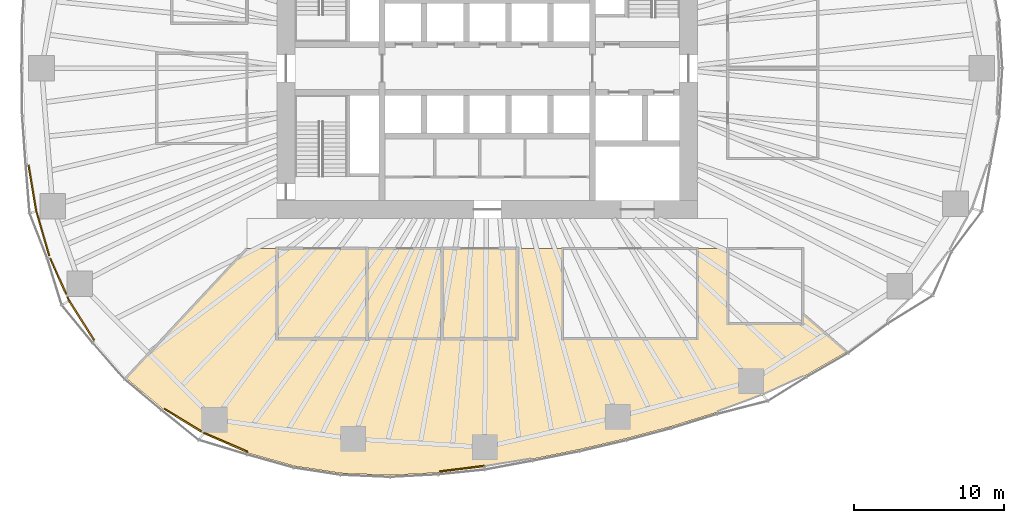
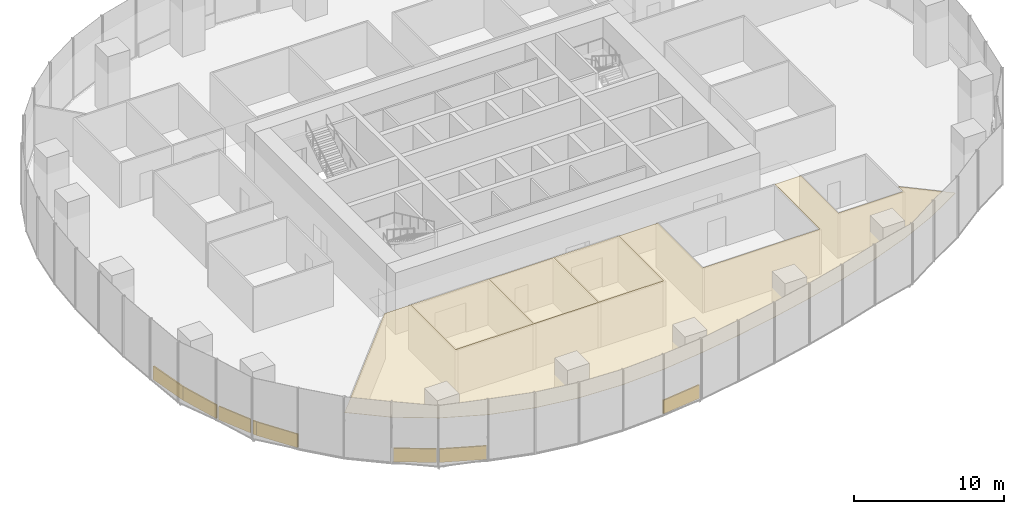
# One storey, part 17 of 19: 12 coverings.
"""IFC4 building model written with IfcOpenShell, lengths in metres."""

from ifc_helpers import new_model, si_unit, direction, frame, origin, origin_2d, place, context, subcontext, project, spatial, polyline, rectangle, outline, extrude, material, layer, layer_set, type_object, element, save


model = new_model("IFC4")

# Units and contexts
model_context = context("Model", 3, precision=1e-05, world=origin(), true_north=direction((0.0, 1.0)))
body_context = subcontext(model_context, "Body", "Model", "MODEL_VIEW")
ifc_project = project(units=[si_unit("LENGTHUNIT", "METRE"), si_unit("AREAUNIT", "SQUARE_METRE"), si_unit("VOLUMEUNIT", "CUBIC_METRE"), si_unit("PLANEANGLEUNIT", "RADIAN"), si_unit("MASSUNIT", "GRAM", prefix="KILO")], contexts=[model_context])

# Site, building, storey
site_placement = place(None, origin())
site = spatial("IfcSite", under=ifc_project, at=site_placement, CompositionType="ELEMENT")
building_placement = place(site_placement, origin())
building = spatial("IfcBuilding", under=site, at=building_placement, Name="Ghaith Harvest Tower", CompositionType="ELEMENT")
storey_placement = place(building_placement, frame((0.0, 0.0, 70.0)))
storey = spatial("IfcBuildingStorey", under=building, at=storey_placement, Name="L14", CompositionType="ELEMENT", Elevation=70.0)

# Coverings
ifc_material_1 = material(Name="Mineral fibre ceiling tile", Category="gypsum")
ifc_layer_1 = layer(ifc_material_1, 0.02490234375)
ifc_layer_set_1 = layer_set([ifc_layer_1], Name="CEILING C2")
covering_type_1 = type_object("IfcCoveringType", Name="CEILING C2", PredefinedType="CEILING", material=ifc_layer_set_1)
covering_1_placement = place(storey_placement, frame((0.0, 0.0, 3.60009765625)))
element("IfcCovering", 1, at=covering_1_placement, inside=storey, type_object=covering_type_1, Name="Ceiling L14-03", PredefinedType="CEILING", context=body_context, shape_type="SweptSolid", body=[
    extrude(outline(polyline([(-14.0, -18.0), (-8.0, -18.0), (-8.0, -12.0), (-14.0, -12.0), (-14.0, -18.0)])), origin(), (0.0, 0.0, 1.0), 0.02490234375),
])
covering_2_placement = place(storey_placement, frame((0.0, 0.0, 3.60009765625)))
element("IfcCovering", 2, at=covering_2_placement, inside=storey, type_object=covering_type_1, Name="Ceiling L14-04", PredefinedType="CEILING", context=body_context, shape_type="SweptSolid", body=[
    extrude(outline(polyline([(-8.0, -18.0), (-3.0, -18.0), (-3.0, -12.0), (-8.0, -12.0), (-8.0, -18.0)])), origin(), (0.0, 0.0, 1.0), 0.02490234375),
])
covering_3_placement = place(storey_placement, frame((0.0, 0.0, 3.60009765625)))
element("IfcCovering", 3, at=covering_3_placement, inside=storey, type_object=covering_type_1, Name="Ceiling L14-05", PredefinedType="CEILING", context=body_context, shape_type="SweptSolid", body=[
    extrude(outline(polyline([(-3.0, -18.0), (2.0, -18.0), (2.0, -12.0), (-3.0, -12.0), (-3.0, -18.0)])), origin(), (0.0, 0.0, 1.0), 0.02490234375),
])
covering_4_placement = place(storey_placement, frame((0.0, 0.0, 3.60009765625)))
element("IfcCovering", 4, at=covering_4_placement, inside=storey, type_object=covering_type_1, Name="Ceiling L14-S1", PredefinedType="CEILING", context=body_context, shape_type="SweptSolid", body=[
    extrude(outline(polyline([(-15.907958984375, -25.614501953125), (-18.8935546875, -24.32763671875), (-21.59912109375, -22.671142578125), (-24.04833984375, -20.618408203125), (-16.0, -12.0), (-14.0, -12.0), (-14.0, -18.0), (2.0, -18.0), (2.0, -12.0), (5.0, -12.0), (5.0, -18.0), (14.0, -18.0), (14.0, -12.0), (16.0, -12.0), (16.0, -17.0), (21.0, -17.0), (21.0, -16.336669921875), (23.92431640625, -18.873046875), (21.149169921875, -20.469482421875), (18.34521484375, -21.7548828125), (15.22119140625, -22.916259765625), (12.1796875, -23.857666015625), (9.21533203125, -24.65087890625), (6.10888671875, -25.378662109375), (2.99560546875, -26.004150390625), (-0.181396484375, -26.527099609375), (-3.24755859375, -26.91064453125), (-6.4375, -27.0849609375), (-9.733642578125, -26.949951171875), (-12.828125, -26.476806640625), (-15.907958984375, -25.614501953125)])), origin(), (0.0, 0.0, 1.0), 0.02490234375),
])
ifc_material_2 = material(Name="Insulated aluminium spandrel panel on steel framing", Category="steel")
ifc_layer_2 = layer(ifc_material_2, 0.10009765625)
ifc_layer_set_2 = layer_set([ifc_layer_2], Name="SLAB EDGE UPSTAND 1100x100")
covering_type_2 = type_object("IfcCoveringType", Name="SLAB EDGE UPSTAND 1100x100", PredefinedType="CLADDING", material=ifc_layer_set_2)
covering_5_placement = place(storey_placement, frame((-30.28271484375, -7.982177734375, 0.0), z_axis=(0.0, 0.0, 1.0), x_axis=(0.165246181786, -0.986252350773, 0.0)))
element("IfcCovering", 5, at=covering_5_placement, inside=storey, type_object=covering_type_2, Name="Slab edge upstand 3 bay 11 L14", PredefinedType="CLADDING", context=body_context, shape_type="SweptSolid", body=[
    extrude(rectangle(XDim=3.124267578125, YDim=0.10009765625, at=origin_2d()), origin(), (0.0, 0.0, 1.0), 1.10009765625),
])
covering_6_placement = place(storey_placement, frame((-29.593994140625, -10.997314453125, 0.0), z_axis=(0.0, 0.0, 1.0), x_axis=(0.280032411303, -0.95999054611, 0.0)))
element("IfcCovering", 6, at=covering_6_placement, inside=storey, type_object=covering_type_2, Name="Slab edge upstand 1 bay 12 L14", PredefinedType="CLADDING", context=body_context, shape_type="SweptSolid", body=[
    extrude(rectangle(XDim=3.084228515625, YDim=0.10009765625, at=origin_2d()), origin(), (0.0, 0.0, 1.0), 1.10009765625),
])
covering_7_placement = place(storey_placement, frame((-28.56689453125, -13.84619140625, 0.0), z_axis=(0.0, 0.0, 1.0), x_axis=(0.407003427802, -0.913426630747, 0.0)))
element("IfcCovering", 7, at=covering_7_placement, inside=storey, type_object=covering_type_2, Name="Slab edge upstand 2 bay 12 L14", PredefinedType="CLADDING", context=body_context, shape_type="SweptSolid", body=[
    extrude(rectangle(XDim=2.60009765625, YDim=0.10009765625, at=origin_2d()), origin(), (0.0, 0.0, 1.0), 1.10009765625),
])
covering_8_placement = place(storey_placement, frame((-27.89501953125, -15.35400390625, 0.0), z_axis=(0.0, 0.0, 1.0), x_axis=(0.407003427802, -0.913426630747, 0.0)))
element("IfcCovering", 8, at=covering_8_placement, inside=storey, type_object=covering_type_2, Name="Slab edge upstand 2 bay 12 L14", PredefinedType="CLADDING", context=body_context, shape_type="SweptSolid", body=[
    extrude(rectangle(XDim=0.29052734375, YDim=0.10009765625, at=origin_2d()), origin(), (0.0, 0.0, 1.0), 1.10009765625),
])
covering_9_placement = place(storey_placement, frame((-27.0078125, -16.787353515625, 0.0), z_axis=(0.0, 0.0, 1.0), x_axis=(0.536807372204, -0.843704832952, 0.0)))
element("IfcCovering", 9, at=covering_9_placement, inside=storey, type_object=covering_type_2, Name="Slab edge upstand 3 bay 12 L14", PredefinedType="CLADDING", context=body_context, shape_type="SweptSolid", body=[
    extrude(rectangle(XDim=3.098388671875, YDim=0.10009765625, at=origin_2d()), origin(), (0.0, 0.0, 1.0), 1.10009765625),
])
covering_10_placement = place(storey_placement, frame((-20.265869140625, -23.4287109375, 0.0), z_axis=(0.0, 0.0, 1.0), x_axis=(0.852846651269, -0.522161459148, 0.0)))
element("IfcCovering", 10, at=covering_10_placement, inside=storey, type_object=covering_type_2, Name="Slab edge upstand 3 bay 13 L14", PredefinedType="CLADDING", context=body_context, shape_type="SweptSolid", body=[
    extrude(rectangle(XDim=2.864990234375, YDim=0.10009765625, at=origin_2d()), origin(), (0.0, 0.0, 1.0), 1.10009765625),
])
covering_11_placement = place(storey_placement, frame((-17.421875, -24.907470703125, 0.0), z_axis=(0.0, 0.0, 1.0), x_axis=(0.918306928324, -0.395869151856, 0.0)))
element("IfcCovering", 11, at=covering_11_placement, inside=storey, type_object=covering_type_2, Name="Slab edge upstand 1 bay 14 L14", PredefinedType="CLADDING", context=body_context, shape_type="SweptSolid", body=[
    extrude(rectangle(XDim=3.140380859375, YDim=0.10009765625, at=origin_2d()), origin(), (0.0, 0.0, 1.0), 1.10009765625),
])
covering_12_placement = place(storey_placement, frame((-1.671142578125, -26.6630859375, 0.0), z_axis=(0.0, 0.0, 1.0), x_axis=(0.992264868881, 0.124138752952, 0.0)))
element("IfcCovering", 12, at=covering_12_placement, inside=storey, type_object=covering_type_2, Name="Slab edge upstand 3 bay 15 L14", PredefinedType="CLADDING", context=body_context, shape_type="SweptSolid", body=[
    extrude(rectangle(XDim=2.98974609375, YDim=0.10009765625, at=origin_2d()), origin(), (0.0, 0.0, 1.0), 1.10009765625),
])

save(model, "model.ifc")
